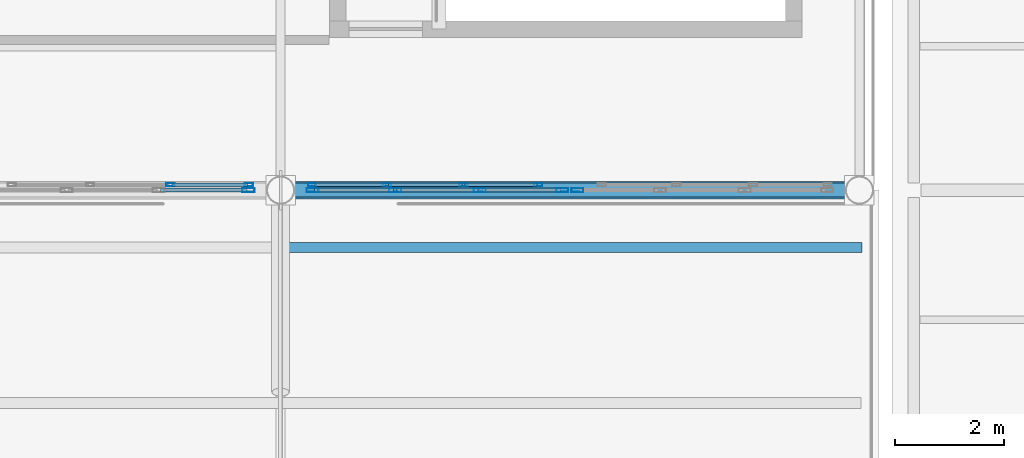
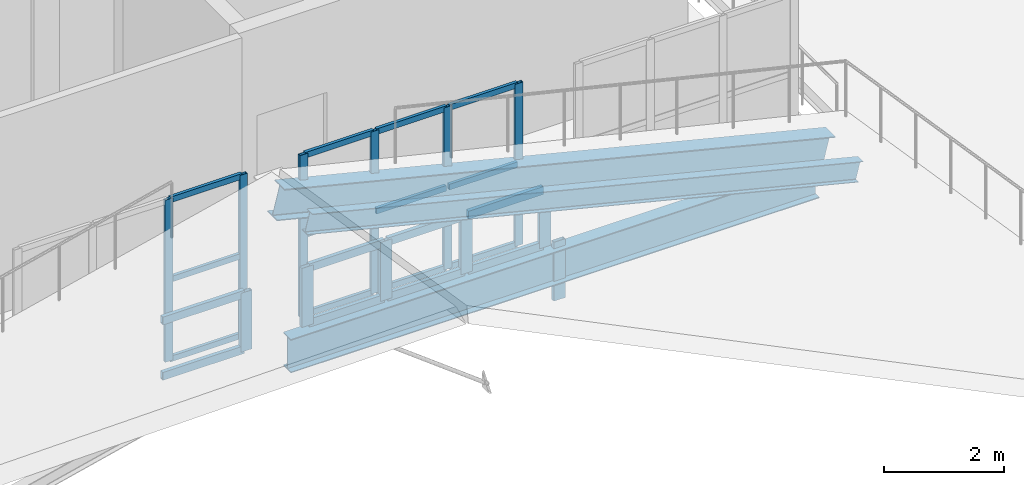
# One storey, part 51 of 120: 33 members, 2 beams, 5 elements without a shape of their own.
"""IFC4 building model written with IfcOpenShell, lengths in metres."""

from ifc_helpers import new_model, si_unit, direction, frame, origin, origin_2d, place, context, subcontext, project, spatial, hollow_rectangle, i_section, extrude, material, material_profile, profile_set, type_object, element, aggregate, save


model = new_model("IFC4")

# Units and contexts
model_context = context("Model", 3, precision=1e-05, world=origin(), true_north=direction((0.0, 1.0)))
body_context = subcontext(model_context, "Body", "Model", "MODEL_VIEW")
ifc_project = project(units=[si_unit("LENGTHUNIT", "METRE"), si_unit("AREAUNIT", "SQUARE_METRE"), si_unit("VOLUMEUNIT", "CUBIC_METRE"), si_unit("PLANEANGLEUNIT", "RADIAN"), si_unit("MASSUNIT", "GRAM", prefix="KILO")], contexts=[model_context])

# Site, building, storey
site_placement = place(None, origin())
site = spatial("IfcSite", under=ifc_project, at=site_placement, CompositionType="ELEMENT")
building_placement = place(site_placement, origin())
building = spatial("IfcBuilding", under=site, at=building_placement, Name="Caurita Quay Ferry Terminal", CompositionType="ELEMENT")
storey_placement = place(building_placement, frame((0.0, 0.0, 9.89990234375)))
storey = spatial("IfcBuildingStorey", under=building, at=storey_placement, Name="L02", CompositionType="ELEMENT", Elevation=9.89990234375)

# Beams
ifc_material_1 = material(Name="Structural steel ASTM A992 Gr. 50", Category="steel")
ifc_material_profile_1 = material_profile(ifc_material_1, i_section(OverallWidth=0.3251953125, OverallDepth=0.612060546875, WebThickness=0.0126953125, FlangeThickness=0.01904296875, FilletRadius=0.01513671875, at=origin_2d()), Name="W24X104")
ifc_profile_set_1 = profile_set([ifc_material_profile_1], Name="Structural steel ASTM A992 Gr. 50")
beam_type_1 = type_object("IfcBeamType", Name="BM-GR-W24A", PredefinedType="BEAM", material=ifc_profile_set_1)
beam_1_placement = place(storey_placement, frame((121.199951171875, 62.699951171875, 2.610107421875), z_axis=(0.9703603414, 0.0, -0.241662590897), x_axis=(0.0, 1.0, 0.0)))
element("IfcBeam", 1, at=beam_1_placement, inside=storey, type_object=beam_type_1, Name="Folded Roof Gable Ring Girder V2-N-121", PredefinedType="BEAM", context=body_context, shape_type="SweptSolid", body=[
    extrude(i_section(OverallWidth=0.3251953125, OverallDepth=0.612060546875, WebThickness=0.0126953125, FlangeThickness=0.01904296875, FilletRadius=0.01513671875, at=origin_2d()), origin(), (0.0, 0.0, 1.0), 10.923828125),
])
ifc_material_profile_2 = material_profile(ifc_material_1, i_section(OverallWidth=0.25390625, OverallDepth=0.68310546875, WebThickness=0.012451171875, FlangeThickness=0.018798828125, at=origin_2d()), Name="W27X94")
ifc_profile_set_2 = profile_set([ifc_material_profile_2], Name="Structural steel ASTM A992 Gr. 50")
beam_type_2 = type_object("IfcBeamType", Name="BM-GR-W27B", PredefinedType="BEAM", material=ifc_profile_set_2)
beam_2_placement = place(storey_placement, frame((121.416015625, 62.699951171875, -0.5615234375), z_axis=(1.0, 0.0, 0.0), x_axis=(0.0, 1.0, 0.0)))
element("IfcBeam", 2, at=beam_2_placement, inside=storey, type_object=beam_type_2, Name="L02 Beam BM-V2-L02-X-1214-627", PredefinedType="BEAM", context=body_context, shape_type="SweptSolid", body=[
    extrude(i_section(OverallWidth=0.25390625, OverallDepth=0.68310546875, WebThickness=0.012451171875, FlangeThickness=0.018798828125, at=origin_2d()), origin(), (0.0, 0.0, 1.0), 10.16796875),
])

# Curtain wall, members
ifc_material_2 = material(Name="Laminated solar-control insulated glass", Category="glass")
curtain_wall_type_1 = type_object("IfcCurtainWallType", Name="CW-SYS-13", PredefinedType="NOTDEFINED", material=ifc_material_2)
curtain_wall_1_placement = place(storey_placement, origin())
curtain_wall_1 = element("IfcCurtainWall", 3, at=curtain_wall_1_placement, inside=storey, type_object=curtain_wall_type_1, Name="Mezzanine Hall Overlook Glazing 110", PredefinedType="NOTDEFINED")
ifc_material_3 = material(Name="Anodized aluminium 6063-T6", Category="aluminium")
ifc_material_profile_3 = material_profile(ifc_material_3, hollow_rectangle(XDim=0.06005859375, YDim=0.14990234375, WallThickness=0.00341796875, at=origin_2d()), Name="ALU-MUL-60X150")
ifc_profile_set_3 = profile_set([ifc_material_profile_3], Name="Anodized aluminium 6063-T6")
member_type_1 = type_object("IfcMemberType", Name="CW-MUL-150", PredefinedType="MULLION", material=ifc_profile_set_3)
member_1_placement = place(storey_placement, frame((119.183349609375, 62.800048828125, 0.0), z_axis=(0.0, 0.0, 1.0), x_axis=(0.0, 1.0, 0.0)))
member_1 = element("IfcMember", 4, at=member_1_placement, type_object=member_type_1, Name="CW-MZL-110 Mullion 3", PredefinedType="MULLION", context=body_context, shape_type="SweptSolid", body=[
    extrude(hollow_rectangle(XDim=0.06005859375, YDim=0.14990234375, WallThickness=0.00341796875, at=origin_2d()), origin(), (0.0, 0.0, 1.0), 3.300048828125),
])
member_2_placement = place(storey_placement, frame((120.6201171875, 62.800048828125, 0.0), z_axis=(0.0, 0.0, 1.0), x_axis=(0.0, 1.0, 0.0)))
member_2 = element("IfcMember", 5, at=member_2_placement, type_object=member_type_1, Name="CW-MZL-110 Mullion 4", PredefinedType="MULLION", context=body_context, shape_type="SweptSolid", body=[
    extrude(hollow_rectangle(XDim=0.06005859375, YDim=0.14990234375, WallThickness=0.00341796875, at=origin_2d()), origin(), (0.0, 0.0, 1.0), 3.300048828125),
])

curtain_wall_type_2 = type_object("IfcCurtainWallType", Name="CW-SYS-14", PredefinedType="NOTDEFINED", material=ifc_material_2)
curtain_wall_2_placement = place(storey_placement, origin())
curtain_wall_2 = element("IfcCurtainWall", 6, at=curtain_wall_2_placement, inside=storey, type_object=curtain_wall_type_2, Name="Mezzanine Hall Overlook Glazing 111", PredefinedType="NOTDEFINED")
member_3_placement = place(storey_placement, frame((121.780029296875, 62.800048828125, 0.0), z_axis=(0.0, 0.0, 1.0), x_axis=(0.0, 1.0, 0.0)))
member_3 = element("IfcMember", 7, at=member_3_placement, type_object=member_type_1, Name="CW-MZL-111 Mullion 1", PredefinedType="MULLION", context=body_context, shape_type="SweptSolid", body=[
    extrude(hollow_rectangle(XDim=0.06005859375, YDim=0.14990234375, WallThickness=0.00341796875, at=origin_2d()), origin(), (0.0, 0.0, 1.0), 3.300048828125),
])
member_4_placement = place(storey_placement, frame((123.14990234375, 62.800048828125, 0.0), z_axis=(0.0, 0.0, 1.0), x_axis=(0.0, 1.0, 0.0)))
member_4 = element("IfcMember", 8, at=member_4_placement, type_object=member_type_1, Name="CW-MZL-111 Mullion 2", PredefinedType="MULLION", context=body_context, shape_type="SweptSolid", body=[
    extrude(hollow_rectangle(XDim=0.06005859375, YDim=0.14990234375, WallThickness=0.00341796875, at=origin_2d()), origin(), (0.0, 0.0, 1.0), 3.300048828125),
])
member_5_placement = place(storey_placement, frame((124.550048828125, 62.800048828125, 0.0), z_axis=(0.0, 0.0, 1.0), x_axis=(0.0, 1.0, 0.0)))
member_5 = element("IfcMember", 9, at=member_5_placement, type_object=member_type_1, Name="CW-MZL-111 Mullion 3", PredefinedType="MULLION", context=body_context, shape_type="SweptSolid", body=[
    extrude(hollow_rectangle(XDim=0.06005859375, YDim=0.14990234375, WallThickness=0.00341796875, at=origin_2d()), origin(), (0.0, 0.0, 1.0), 3.300048828125),
])
member_6_placement = place(storey_placement, frame((125.919921875, 62.800048828125, 0.0), z_axis=(0.0, 0.0, 1.0), x_axis=(0.0, 1.0, 0.0)))
member_6 = element("IfcMember", 10, at=member_6_placement, type_object=member_type_1, Name="CW-MZL-111 Mullion 4", PredefinedType="MULLION", context=body_context, shape_type="SweptSolid", body=[
    extrude(hollow_rectangle(XDim=0.06005859375, YDim=0.14990234375, WallThickness=0.00341796875, at=origin_2d()), origin(), (0.0, 0.0, 1.0), 3.300048828125),
])

# Curtain wall, member
curtain_wall_type_3 = type_object("IfcCurtainWallType", Name="CW-SYS-06", PredefinedType="NOTDEFINED", material=ifc_material_2)
curtain_wall_3_placement = place(storey_placement, origin())
curtain_wall_3 = element("IfcCurtainWall", 11, at=curtain_wall_3_placement, inside=storey, type_object=curtain_wall_type_3, Name="Folded Roof Clerestory FB-06-N2", PredefinedType="NOTDEFINED")
ifc_material_profile_4 = material_profile(ifc_material_3, hollow_rectangle(XDim=0.074951171875, YDim=0.219970703125, WallThickness=0.00390625, at=origin_2d()), Name="ALU-MUL-75X220")
ifc_profile_set_4 = profile_set([ifc_material_profile_4], Name="Anodized aluminium 6063-T6")
member_type_2 = type_object("IfcMemberType", Name="CW-MUL-220", PredefinedType="MULLION", material=ifc_profile_set_4)
member_7_placement = place(storey_placement, frame((120.612548828125, 62.699951171875, -0.218994140625), z_axis=(0.0, 0.0, 1.0), x_axis=(0.0, 1.0, 0.0)))
member_7 = element("IfcMember", 12, at=member_7_placement, type_object=member_type_2, Name="CW-CLR-046 Mullion 4", PredefinedType="MULLION", context=body_context, shape_type="SweptSolid", body=[
    extrude(hollow_rectangle(XDim=0.074951171875, YDim=0.219970703125, WallThickness=0.00390625, at=origin_2d()), origin(), (0.0, 0.0, 1.0), 1.2001953125),
])

# Curtain wall, members
curtain_wall_type_4 = type_object("IfcCurtainWallType", Name="CW-SYS-05", PredefinedType="NOTDEFINED", material=ifc_material_2)
curtain_wall_4_placement = place(storey_placement, origin())
curtain_wall_4 = element("IfcCurtainWall", 13, at=curtain_wall_4_placement, inside=storey, type_object=curtain_wall_type_4, Name="Folded Roof Clerestory FB-06-N3", PredefinedType="NOTDEFINED")
member_8_placement = place(storey_placement, frame((121.78759765625, 62.699951171875, -0.122802734375), z_axis=(0.0, 0.0, 1.0), x_axis=(0.0, 1.0, 0.0)))
member_8 = element("IfcMember", 14, at=member_8_placement, type_object=member_type_2, Name="CW-CLR-047 Mullion 1", PredefinedType="MULLION", context=body_context, shape_type="SweptSolid", body=[
    extrude(hollow_rectangle(XDim=0.074951171875, YDim=0.219970703125, WallThickness=0.00390625, at=origin_2d()), origin(), (0.0, 0.0, 1.0), 1.199951171875),
])
member_9_placement = place(storey_placement, frame((123.300048828125, 62.699951171875, -0.122802734375), z_axis=(0.0, 0.0, 1.0), x_axis=(0.0, 1.0, 0.0)))
member_9 = element("IfcMember", 15, at=member_9_placement, type_object=member_type_2, Name="CW-CLR-047 Mullion 2", PredefinedType="MULLION", context=body_context, shape_type="SweptSolid", body=[
    extrude(hollow_rectangle(XDim=0.074951171875, YDim=0.219970703125, WallThickness=0.00390625, at=origin_2d()), origin(), (0.0, 0.0, 1.0), 1.199951171875),
])
member_10_placement = place(storey_placement, frame((124.85009765625, 62.699951171875, -0.122802734375), z_axis=(0.0, 0.0, 1.0), x_axis=(0.0, 1.0, 0.0)))
member_10 = element("IfcMember", 16, at=member_10_placement, type_object=member_type_2, Name="CW-CLR-047 Mullion 3", PredefinedType="MULLION", context=body_context, shape_type="SweptSolid", body=[
    extrude(hollow_rectangle(XDim=0.074951171875, YDim=0.219970703125, WallThickness=0.00390625, at=origin_2d()), origin(), (0.0, 0.0, 1.0), 1.199951171875),
])
member_11_placement = place(storey_placement, frame((126.362548828125, 62.699951171875, -0.122802734375), z_axis=(0.0, 0.0, 1.0), x_axis=(0.0, 1.0, 0.0)))
member_11 = element("IfcMember", 17, at=member_11_placement, type_object=member_type_2, Name="CW-CLR-047 Mullion 4", PredefinedType="MULLION", context=body_context, shape_type="SweptSolid", body=[
    extrude(hollow_rectangle(XDim=0.074951171875, YDim=0.219970703125, WallThickness=0.00390625, at=origin_2d()), origin(), (0.0, 0.0, 1.0), 1.199951171875),
])

# Curtain wall, member
curtain_wall_5_placement = place(storey_placement, origin())
curtain_wall_5 = element("IfcCurtainWall", 18, at=curtain_wall_5_placement, inside=storey, type_object=curtain_wall_type_4, Name="Folded Roof Clerestory FB-06-N4", PredefinedType="NOTDEFINED")
member_12_placement = place(storey_placement, frame((126.637451171875, 62.699951171875, -1.286865234375), z_axis=(0.0, 0.0, 1.0), x_axis=(0.0, 1.0, 0.0)))
member_12 = element("IfcMember", 19, at=member_12_placement, type_object=member_type_2, Name="CW-CLR-048 Mullion 1", PredefinedType="MULLION", context=body_context, shape_type="SweptSolid", body=[
    extrude(hollow_rectangle(XDim=0.074951171875, YDim=0.219970703125, WallThickness=0.00390625, at=origin_2d()), origin(), (0.0, 0.0, 1.0), 1.199951171875),
])
aggregate(curtain_wall_5, [member_12])

# Member
ifc_material_profile_5 = material_profile(ifc_material_3, hollow_rectangle(XDim=0.06005859375, YDim=0.114990234375, WallThickness=0.00341796875, at=origin_2d()), Name="ALU-TRN-60X115")
ifc_profile_set_5 = profile_set([ifc_material_profile_5], Name="Anodized aluminium 6063-T6")
member_type_3 = type_object("IfcMemberType", Name="CW-TRN-115", PredefinedType="USERDEFINED", material=ifc_profile_set_5)
member_13_placement = place(storey_placement, frame((119.211181640625, 62.800048828125, 0.030029296875), z_axis=(1.0, 0.0, 0.0), x_axis=(0.0, 1.0, 0.0)))
member_13 = element("IfcMember", 20, at=member_13_placement, type_object=member_type_3, Name="CW-MZL-110 Transom 7", ObjectType="TRANSOM", PredefinedType="USERDEFINED", context=body_context, shape_type="SweptSolid", body=[
    extrude(hollow_rectangle(XDim=0.06005859375, YDim=0.114990234375, WallThickness=0.00341796875, at=origin_2d()), origin(), (0.0, 0.0, 1.0), 1.380859375),
])

member_14_placement = place(storey_placement, frame((119.211181640625, 62.800048828125, 1.650146484375), z_axis=(1.0, 0.0, 0.0), x_axis=(0.0, 1.0, 0.0)))
member_14 = element("IfcMember", 21, at=member_14_placement, type_object=member_type_3, Name="CW-MZL-110 Transom 8", ObjectType="TRANSOM", PredefinedType="USERDEFINED", context=body_context, shape_type="SweptSolid", body=[
    extrude(hollow_rectangle(XDim=0.06005859375, YDim=0.114990234375, WallThickness=0.00341796875, at=origin_2d()), origin(), (0.0, 0.0, 1.0), 1.380859375),
])

member_15_placement = place(storey_placement, frame((119.211181640625, 62.800048828125, 3.27001953125), z_axis=(1.0, 0.0, 0.0), x_axis=(0.0, 1.0, 0.0)))
member_15 = element("IfcMember", 22, at=member_15_placement, type_object=member_type_3, Name="CW-MZL-110 Transom 9", ObjectType="TRANSOM", PredefinedType="USERDEFINED", context=body_context, shape_type="SweptSolid", body=[
    extrude(hollow_rectangle(XDim=0.06005859375, YDim=0.114990234375, WallThickness=0.00341796875, at=origin_2d()), origin(), (0.0, 0.0, 1.0), 1.380859375),
])

aggregate(curtain_wall_1, [member_1, member_2, member_13, member_14, member_15])

member_16_placement = place(storey_placement, frame((121.80810546875, 62.800048828125, 0.030029296875), z_axis=(1.0, 0.0, 0.0), x_axis=(0.0, 1.0, 0.0)))
member_16 = element("IfcMember", 23, at=member_16_placement, type_object=member_type_3, Name="CW-MZL-111 Transom 1", ObjectType="TRANSOM", PredefinedType="USERDEFINED", context=body_context, shape_type="SweptSolid", body=[
    extrude(hollow_rectangle(XDim=0.06005859375, YDim=0.114990234375, WallThickness=0.00341796875, at=origin_2d()), origin(), (0.0, 0.0, 1.0), 1.31396484375),
])

member_17_placement = place(storey_placement, frame((121.80810546875, 62.800048828125, 1.650146484375), z_axis=(1.0, 0.0, 0.0), x_axis=(0.0, 1.0, 0.0)))
member_17 = element("IfcMember", 24, at=member_17_placement, type_object=member_type_3, Name="CW-MZL-111 Transom 2", ObjectType="TRANSOM", PredefinedType="USERDEFINED", context=body_context, shape_type="SweptSolid", body=[
    extrude(hollow_rectangle(XDim=0.06005859375, YDim=0.114990234375, WallThickness=0.00341796875, at=origin_2d()), origin(), (0.0, 0.0, 1.0), 1.31396484375),
])

member_18_placement = place(storey_placement, frame((121.80810546875, 62.800048828125, 3.27001953125), z_axis=(1.0, 0.0, 0.0), x_axis=(0.0, 1.0, 0.0)))
member_18 = element("IfcMember", 25, at=member_18_placement, type_object=member_type_3, Name="CW-MZL-111 Transom 3", ObjectType="TRANSOM", PredefinedType="USERDEFINED", context=body_context, shape_type="SweptSolid", body=[
    extrude(hollow_rectangle(XDim=0.06005859375, YDim=0.114990234375, WallThickness=0.00341796875, at=origin_2d()), origin(), (0.0, 0.0, 1.0), 1.31396484375),
])

member_19_placement = place(storey_placement, frame((123.177978515625, 62.800048828125, 0.030029296875), z_axis=(1.0, 0.0, 0.0), x_axis=(0.0, 1.0, 0.0)))
member_19 = element("IfcMember", 26, at=member_19_placement, type_object=member_type_3, Name="CW-MZL-111 Transom 4", ObjectType="TRANSOM", PredefinedType="USERDEFINED", context=body_context, shape_type="SweptSolid", body=[
    extrude(hollow_rectangle(XDim=0.06005859375, YDim=0.114990234375, WallThickness=0.00341796875, at=origin_2d()), origin(), (0.0, 0.0, 1.0), 1.343994140625),
])

member_20_placement = place(storey_placement, frame((123.177978515625, 62.800048828125, 1.650146484375), z_axis=(1.0, 0.0, 0.0), x_axis=(0.0, 1.0, 0.0)))
member_20 = element("IfcMember", 27, at=member_20_placement, type_object=member_type_3, Name="CW-MZL-111 Transom 5", ObjectType="TRANSOM", PredefinedType="USERDEFINED", context=body_context, shape_type="SweptSolid", body=[
    extrude(hollow_rectangle(XDim=0.06005859375, YDim=0.114990234375, WallThickness=0.00341796875, at=origin_2d()), origin(), (0.0, 0.0, 1.0), 1.343994140625),
])

member_21_placement = place(storey_placement, frame((123.177978515625, 62.800048828125, 3.27001953125), z_axis=(1.0, 0.0, 0.0), x_axis=(0.0, 1.0, 0.0)))
member_21 = element("IfcMember", 28, at=member_21_placement, type_object=member_type_3, Name="CW-MZL-111 Transom 6", ObjectType="TRANSOM", PredefinedType="USERDEFINED", context=body_context, shape_type="SweptSolid", body=[
    extrude(hollow_rectangle(XDim=0.06005859375, YDim=0.114990234375, WallThickness=0.00341796875, at=origin_2d()), origin(), (0.0, 0.0, 1.0), 1.343994140625),
])

member_22_placement = place(storey_placement, frame((124.577880859375, 62.800048828125, 0.030029296875), z_axis=(1.0, 0.0, 0.0), x_axis=(0.0, 1.0, 0.0)))
member_22 = element("IfcMember", 29, at=member_22_placement, type_object=member_type_3, Name="CW-MZL-111 Transom 7", ObjectType="TRANSOM", PredefinedType="USERDEFINED", context=body_context, shape_type="SweptSolid", body=[
    extrude(hollow_rectangle(XDim=0.06005859375, YDim=0.114990234375, WallThickness=0.00341796875, at=origin_2d()), origin(), (0.0, 0.0, 1.0), 1.314208984375),
])

member_23_placement = place(storey_placement, frame((124.577880859375, 62.800048828125, 1.650146484375), z_axis=(1.0, 0.0, 0.0), x_axis=(0.0, 1.0, 0.0)))
member_23 = element("IfcMember", 30, at=member_23_placement, type_object=member_type_3, Name="CW-MZL-111 Transom 8", ObjectType="TRANSOM", PredefinedType="USERDEFINED", context=body_context, shape_type="SweptSolid", body=[
    extrude(hollow_rectangle(XDim=0.06005859375, YDim=0.114990234375, WallThickness=0.00341796875, at=origin_2d()), origin(), (0.0, 0.0, 1.0), 1.314208984375),
])

member_24_placement = place(storey_placement, frame((124.577880859375, 62.800048828125, 3.27001953125), z_axis=(1.0, 0.0, 0.0), x_axis=(0.0, 1.0, 0.0)))
member_24 = element("IfcMember", 31, at=member_24_placement, type_object=member_type_3, Name="CW-MZL-111 Transom 9", ObjectType="TRANSOM", PredefinedType="USERDEFINED", context=body_context, shape_type="SweptSolid", body=[
    extrude(hollow_rectangle(XDim=0.06005859375, YDim=0.114990234375, WallThickness=0.00341796875, at=origin_2d()), origin(), (0.0, 0.0, 1.0), 1.314208984375),
])

aggregate(curtain_wall_2, [member_3, member_4, member_5, member_6, member_16, member_17, member_18, member_19, member_20, member_21, member_22, member_23, member_24])

ifc_material_profile_6 = material_profile(ifc_material_3, hollow_rectangle(XDim=0.074951171875, YDim=0.159912109375, WallThickness=0.00390625, at=origin_2d()), Name="ALU-TRN-75X160")
ifc_profile_set_6 = profile_set([ifc_material_profile_6], Name="Anodized aluminium 6063-T6")
member_type_4 = type_object("IfcMemberType", Name="CW-TRN-160", PredefinedType="USERDEFINED", material=ifc_profile_set_6)
member_25_placement = place(storey_placement, frame((119.002197265625, 62.699951171875, -0.181396484375), z_axis=(1.0, 0.0, 0.0), x_axis=(0.0, 1.0, 0.0)))
member_25 = element("IfcMember", 32, at=member_25_placement, type_object=member_type_4, Name="CW-CLR-046 Transom 5", ObjectType="TRANSOM", PredefinedType="USERDEFINED", context=body_context, shape_type="SweptSolid", body=[
    extrude(hollow_rectangle(XDim=0.074951171875, YDim=0.159912109375, WallThickness=0.00390625, at=origin_2d()), origin(), (0.0, 0.0, 1.0), 1.57470703125),
])

member_26_placement = place(storey_placement, frame((119.002197265625, 62.699951171875, 0.943603515625), z_axis=(1.0, 0.0, 0.0), x_axis=(0.0, 1.0, 0.0)))
member_26 = element("IfcMember", 33, at=member_26_placement, type_object=member_type_4, Name="CW-CLR-046 Transom 6", ObjectType="TRANSOM", PredefinedType="USERDEFINED", context=body_context, shape_type="SweptSolid", body=[
    extrude(hollow_rectangle(XDim=0.074951171875, YDim=0.159912109375, WallThickness=0.00390625, at=origin_2d()), origin(), (0.0, 0.0, 1.0), 1.57470703125),
])

aggregate(curtain_wall_3, [member_7, member_25, member_26])

member_27_placement = place(storey_placement, frame((121.822998046875, 62.699951171875, -0.08544921875), z_axis=(1.0, 0.0, 0.0), x_axis=(0.0, 1.0, 0.0)))
member_27 = element("IfcMember", 34, at=member_27_placement, type_object=member_type_4, Name="CW-CLR-047 Transom 1", ObjectType="TRANSOM", PredefinedType="USERDEFINED", context=body_context, shape_type="SweptSolid", body=[
    extrude(hollow_rectangle(XDim=0.074951171875, YDim=0.159912109375, WallThickness=0.00390625, at=origin_2d()), origin(), (0.0, 0.0, 1.0), 1.44140625),
])

member_28_placement = place(storey_placement, frame((121.822998046875, 62.699951171875, 1.03955078125), z_axis=(1.0, 0.0, 0.0), x_axis=(0.0, 1.0, 0.0)))
member_28 = element("IfcMember", 35, at=member_28_placement, type_object=member_type_4, Name="CW-CLR-047 Transom 2", ObjectType="TRANSOM", PredefinedType="USERDEFINED", context=body_context, shape_type="SweptSolid", body=[
    extrude(hollow_rectangle(XDim=0.074951171875, YDim=0.159912109375, WallThickness=0.00390625, at=origin_2d()), origin(), (0.0, 0.0, 1.0), 1.44140625),
])

member_29_placement = place(storey_placement, frame((123.33544921875, 62.699951171875, -0.08544921875), z_axis=(1.0, 0.0, 0.0), x_axis=(0.0, 1.0, 0.0)))
member_29 = element("IfcMember", 36, at=member_29_placement, type_object=member_type_4, Name="CW-CLR-047 Transom 3", ObjectType="TRANSOM", PredefinedType="USERDEFINED", context=body_context, shape_type="SweptSolid", body=[
    extrude(hollow_rectangle(XDim=0.074951171875, YDim=0.159912109375, WallThickness=0.00390625, at=origin_2d()), origin(), (0.0, 0.0, 1.0), 1.47900390625),
])

member_30_placement = place(storey_placement, frame((123.33544921875, 62.699951171875, 1.03955078125), z_axis=(1.0, 0.0, 0.0), x_axis=(0.0, 1.0, 0.0)))
member_30 = element("IfcMember", 37, at=member_30_placement, type_object=member_type_4, Name="CW-CLR-047 Transom 4", ObjectType="TRANSOM", PredefinedType="USERDEFINED", context=body_context, shape_type="SweptSolid", body=[
    extrude(hollow_rectangle(XDim=0.074951171875, YDim=0.159912109375, WallThickness=0.00390625, at=origin_2d()), origin(), (0.0, 0.0, 1.0), 1.47900390625),
])

member_31_placement = place(storey_placement, frame((124.885498046875, 62.699951171875, -0.08544921875), z_axis=(1.0, 0.0, 0.0), x_axis=(0.0, 1.0, 0.0)))
member_31 = element("IfcMember", 38, at=member_31_placement, type_object=member_type_4, Name="CW-CLR-047 Transom 5", ObjectType="TRANSOM", PredefinedType="USERDEFINED", context=body_context, shape_type="SweptSolid", body=[
    extrude(hollow_rectangle(XDim=0.074951171875, YDim=0.159912109375, WallThickness=0.00390625, at=origin_2d()), origin(), (0.0, 0.0, 1.0), 1.44140625),
])

member_32_placement = place(storey_placement, frame((124.885498046875, 62.699951171875, 1.03955078125), z_axis=(1.0, 0.0, 0.0), x_axis=(0.0, 1.0, 0.0)))
member_32 = element("IfcMember", 39, at=member_32_placement, type_object=member_type_4, Name="CW-CLR-047 Transom 6", ObjectType="TRANSOM", PredefinedType="USERDEFINED", context=body_context, shape_type="SweptSolid", body=[
    extrude(hollow_rectangle(XDim=0.074951171875, YDim=0.159912109375, WallThickness=0.00390625, at=origin_2d()), origin(), (0.0, 0.0, 1.0), 1.44140625),
])

aggregate(curtain_wall_4, [member_8, member_9, member_10, member_11, member_27, member_28, member_29, member_30, member_31, member_32])

ifc_material_profile_7 = material_profile(ifc_material_1, i_section(OverallWidth=0.177734375, OverallDepth=0.40380859375, WebThickness=0.007568359375, FlangeThickness=0.010986328125, FilletRadius=0.011474609375, at=origin_2d()), Name="W16X36")
ifc_profile_set_7 = profile_set([ifc_material_profile_7], Name="Structural steel ASTM A992 Gr. 50")
member_type_5 = type_object("IfcMemberType", Name="MEM-PUR-16", PredefinedType="PURLIN", material=ifc_profile_set_7)
member_33_placement = place(storey_placement, frame((121.199951171875, 61.64990234375, 2.80810546875), z_axis=(0.9703603414, 0.0, -0.241662590897), x_axis=(0.0, 1.0, 0.0)))
element("IfcMember", 40, at=member_33_placement, inside=storey, type_object=member_type_5, Name="Folded Roof Purlin PUR-120", PredefinedType="PURLIN", context=body_context, shape_type="SweptSolid", body=[
    extrude(i_section(OverallWidth=0.177734375, OverallDepth=0.40380859375, WebThickness=0.007568359375, FlangeThickness=0.010986328125, FilletRadius=0.011474609375, at=origin_2d()), origin(), (0.0, 0.0, 1.0), 10.923828125),
])

save(model, "model.ifc")
